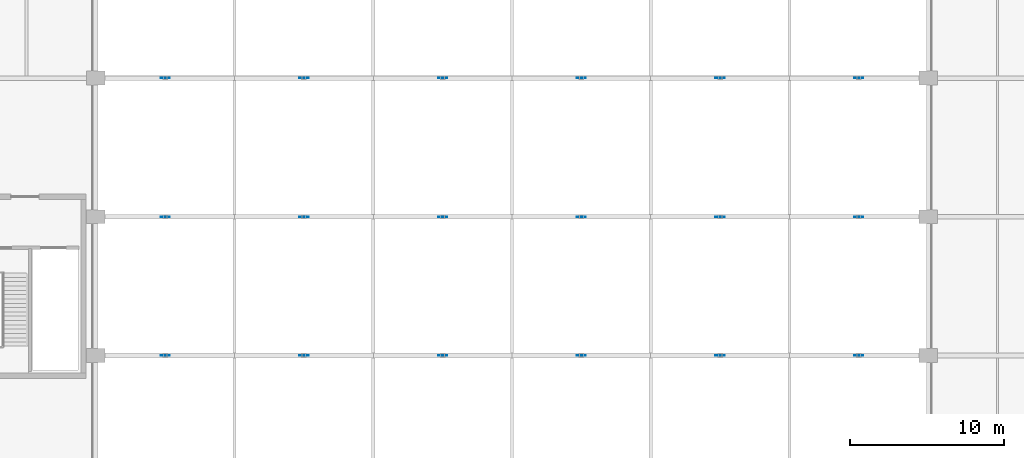
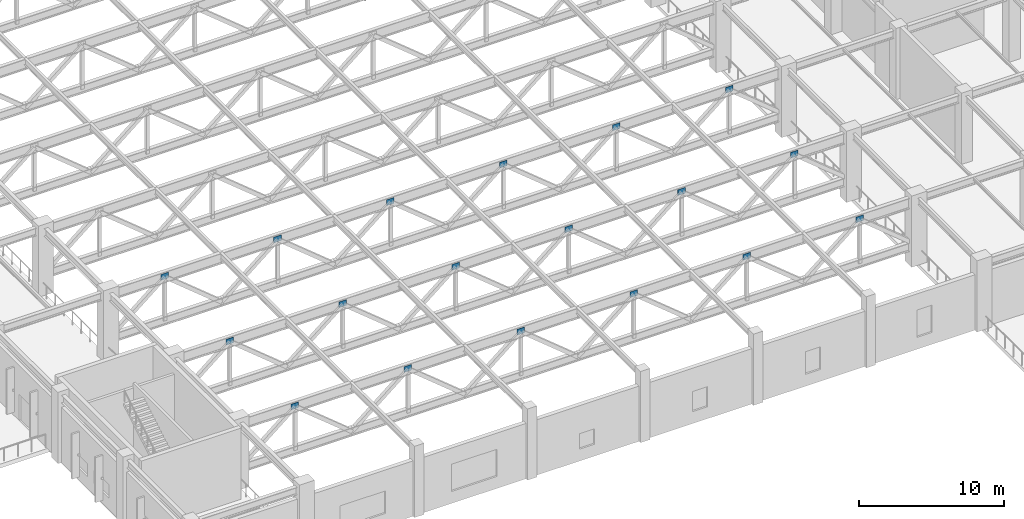
# One storey, part 182 of 223: 18 plates.
"""IFC4 building model written with IfcOpenShell, lengths in metres."""

from ifc_helpers import new_model, si_unit, direction, frame, origin, origin_2d, place, context, subcontext, project, spatial, rectangle, extrude, material, layer, layer_set, type_object, element, save


model = new_model("IFC4")

# Units and contexts
model_context = context("Model", 3, precision=1e-05, world=origin(), true_north=direction((0.0, 1.0)))
body_context = subcontext(model_context, "Body", "Model", "MODEL_VIEW")
ifc_project = project(units=[si_unit("LENGTHUNIT", "METRE"), si_unit("AREAUNIT", "SQUARE_METRE"), si_unit("VOLUMEUNIT", "CUBIC_METRE"), si_unit("PLANEANGLEUNIT", "RADIAN"), si_unit("MASSUNIT", "GRAM", prefix="KILO")], contexts=[model_context])

# Site, building, storey
site_placement = place(None, origin())
site = spatial("IfcSite", under=ifc_project, at=site_placement, CompositionType="ELEMENT")
building_placement = place(site_placement, origin())
building = spatial("IfcBuilding", under=site, at=building_placement, Name="Dornveld Trade and Exhibition Forum", CompositionType="ELEMENT")
storey_placement = place(building_placement, frame((0.0, 0.0, 6.0)))
storey = spatial("IfcBuildingStorey", under=building, at=storey_placement, Name="L01", CompositionType="ELEMENT", Elevation=6.0)

# Plates
ifc_material = material(Name="Steel S355J2", Category="steel")
ifc_layer = layer(ifc_material, 0.031982421875)
ifc_layer_set = layer_set([ifc_layer], Name="Steel S355J2")
plate_type = type_object("IfcPlateType", Name="PL-GUS-600x32", PredefinedType="USERDEFINED", material=ifc_layer_set)
for number, where, z_axis, x_axis, name in (
    (1, (31.5, 45.0, 4.945068359375), (0.0, 0.0, 1.0), (1.0, 0.0, 0.0), "Transfer truss gusset plate 1"),
    (2, (40.5, 45.0, 4.945068359375), (0.0, 0.0, 1.0), (1.0, 0.0, 0.0), "Transfer truss gusset plate 2"),
    (3, (49.5, 45.0, 4.945068359375), (0.0, 0.0, 1.0), (1.0, 0.0, 0.0), "Transfer truss gusset plate 3"),
    (4, (58.5, 45.0, 4.945068359375), (0.0, 0.0, 1.0), (1.0, 0.0, 0.0), "Transfer truss gusset plate 4"),
    (5, (67.5, 45.0, 4.945068359375), (0.0, 0.0, 1.0), (1.0, 0.0, 0.0), "Transfer truss gusset plate 5"),
    (6, (76.5, 45.0, 4.945068359375), (0.0, 0.0, 1.0), (1.0, 0.0, 0.0), "Transfer truss gusset plate 6"),
    (7, (31.5, 54.0, 4.945068359375), (0.0, 0.0, 1.0), (1.0, 0.0, 0.0), "Transfer truss gusset plate 7"),
    (8, (40.5, 54.0, 4.945068359375), (0.0, 0.0, 1.0), (1.0, 0.0, 0.0), "Transfer truss gusset plate 8"),
    (9, (49.5, 54.0, 4.945068359375), (0.0, 0.0, 1.0), (1.0, 0.0, 0.0), "Transfer truss gusset plate 9"),
    (10, (58.5, 54.0, 4.945068359375), (0.0, 0.0, 1.0), (1.0, 0.0, 0.0), "Transfer truss gusset plate 10"),
    (11, (67.5, 54.0, 4.945068359375), (0.0, 0.0, 1.0), (1.0, 0.0, 0.0), "Transfer truss gusset plate 11"),
    (12, (76.5, 54.0, 4.945068359375), (0.0, 0.0, 1.0), (1.0, 0.0, 0.0), "Transfer truss gusset plate 12"),
    (13, (31.5, 63.0, 4.945068359375), (0.0, 0.0, 1.0), (1.0, 0.0, 0.0), "Transfer truss gusset plate 13"),
    (14, (40.5, 63.0, 4.945068359375), (0.0, 0.0, 1.0), (1.0, 0.0, 0.0), "Transfer truss gusset plate 14"),
    (15, (49.5, 63.0, 4.945068359375), (0.0, 0.0, 1.0), (1.0, 0.0, 0.0), "Transfer truss gusset plate 15"),
    (16, (58.5, 63.0, 4.945068359375), (0.0, 0.0, 1.0), (1.0, 0.0, 0.0), "Transfer truss gusset plate 16"),
    (17, (67.5, 63.0, 4.945068359375), (0.0, 0.0, 1.0), (1.0, 0.0, 0.0), "Transfer truss gusset plate 17"),
    (18, (76.5, 63.0, 4.945068359375), (0.0, 0.0, 1.0), (1.0, 0.0, 0.0), "Transfer truss gusset plate 18"),
):
    element("IfcPlate", number, at=place(storey_placement, frame(where, z_axis=z_axis, x_axis=x_axis)), inside=storey, type_object=plate_type, Name=name, ObjectType="GUSSET", PredefinedType="USERDEFINED", context=body_context, shape_type="SweptSolid", body=[
        extrude(rectangle(XDim=0.60009765625, YDim=0.031982421875, at=origin_2d()), origin(), (0.0, 0.0, 1.0), 0.47998046875),
    ])

save(model, "model.ifc")
